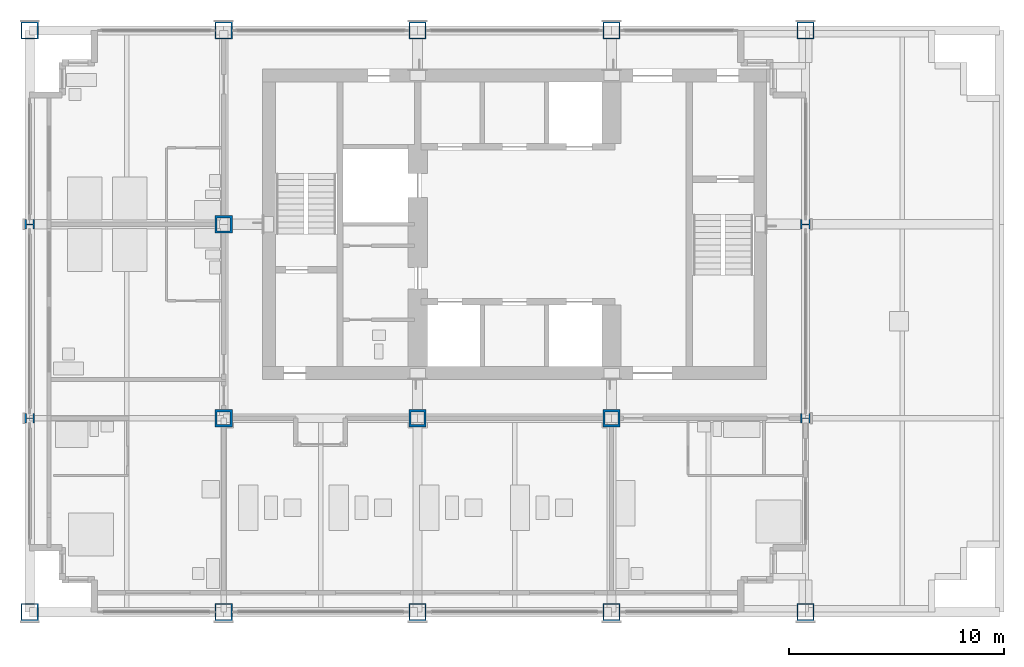
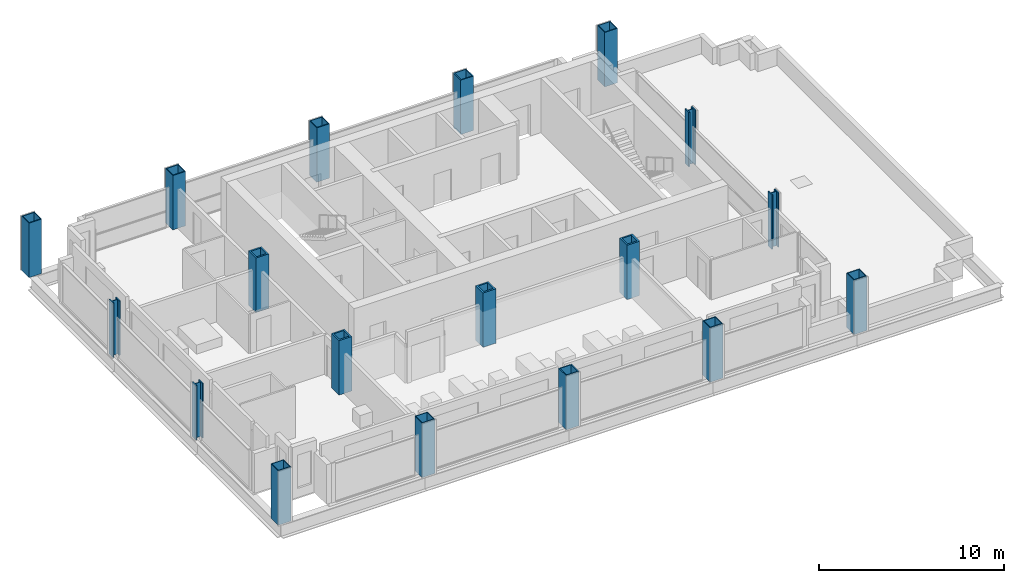
# One storey, part 1 of 12: 18 columns.
"""IFC4 building model written with IfcOpenShell, lengths in metres."""

import ifcopenshell
import ifcopenshell.guid

model = None  # the IFC model being written
_history = None  # IfcOwnerHistory: only IFC2X3 demands one
_inside = {}  # id of a spatial element -> (the spatial element, [elements in it])
_under = {}  # id of a project, library or spatial element -> (it, [spatial elements below it])
_declared = {}  # id of a project -> (the project, [libraries it declares])
_typed = {}  # id of a type object -> (the type object, [elements of that type])
_made_of = {}  # id of a material, layer set ... -> (it, [elements and type objects made of it])


def new_model(schema):
    """Start an empty IFC model of exactly this schema.

    Asked for "IFC4X3", IfcOpenShell would pick the latest addendum, in which some entities
    have other attributes; the version numbers below select the first issue.
    IFC2X3 requires an IfcOwnerHistory on every rooted entity: one is made here for all.
    """
    global model, _history
    if schema == "IFC4X3":
        model = ifcopenshell.file(schema_version=(4, 3, 0, 0))
    else:
        model = ifcopenshell.file(schema=schema)
    _inside.clear()
    _under.clear()
    _declared.clear()
    _typed.clear()
    _made_of.clear()
    _history = None
    if model.schema == "IFC2X3":
        org = make("IfcOrganization", Name="unknown")
        user = make(
            "IfcPersonAndOrganization",
            ThePerson=make("IfcPerson", FamilyName="unknown"),
            TheOrganization=org,
        )
        app = make(
            "IfcApplication",
            ApplicationDeveloper=org,
            Version="unknown",
            ApplicationFullName="unknown",
            ApplicationIdentifier="unknown",
        )
        _history = make(
            "IfcOwnerHistory",
            OwningUser=user,
            OwningApplication=app,
            ChangeAction="ADDED",
            CreationDate=0,
        )
    return model


def make(cls, **values):
    """One entity of the class cls with the attributes given. An attribute that is None is left unset."""
    return model.create_entity(
        cls, **{name: value for name, value in values.items() if value is not None}
    )


def rooted(cls, **values):
    """An entity with a GlobalId (a new one), such as an element, a storey or a relation."""
    return make(cls, GlobalId=ifcopenshell.guid.new(), OwnerHistory=_history, **values)


def si_unit(unit_type, name, prefix=None):
    """IfcSIUnit, for example si_unit("LENGTHUNIT", "METRE", prefix="MILLI")."""
    return make("IfcSIUnit", UnitType=unit_type, Prefix=prefix, Name=name)


def assignment(units):
    """IfcUnitAssignment: the units of a project."""
    return None if units is None else make("IfcUnitAssignment", Units=units)


def point(xyz):
    """IfcCartesianPoint."""
    return None if xyz is None else make("IfcCartesianPoint", Coordinates=xyz)


def direction(xyz):
    """IfcDirection."""
    return None if xyz is None else make("IfcDirection", DirectionRatios=xyz)


def frame(location, z_axis=None, x_axis=None):
    """IfcAxis2Placement3D, a coordinate frame: its origin and axes. An axis left out is left unset."""
    return make(
        "IfcAxis2Placement3D",
        Location=point(location),
        Axis=direction(z_axis),
        RefDirection=direction(x_axis),
    )


def frame_2d(location, x_axis=None):
    """IfcAxis2Placement2D, a coordinate frame in the plane: its origin and x axis."""
    return make(
        "IfcAxis2Placement2D", Location=point(location), RefDirection=direction(x_axis)
    )


def origin():
    """The frame at (0, 0, 0) with its axes left unset."""
    return frame((0.0, 0.0, 0.0))


def origin_2d():
    """The frame at (0, 0) in the plane with its x axis left unset."""
    return frame_2d((0.0, 0.0))


def place(relative_to, where):
    """IfcLocalPlacement: puts the frame where relative to a parent placement (None: the world)."""
    return make(
        "IfcLocalPlacement", PlacementRelTo=relative_to, RelativePlacement=where
    )


def context(
    kind, dimensions, precision=None, world=None, true_north=None, identifier=None
):
    """IfcGeometricRepresentationContext, for example the 3D "Model" context."""
    return make(
        "IfcGeometricRepresentationContext",
        ContextIdentifier=identifier,
        ContextType=kind,
        CoordinateSpaceDimension=dimensions,
        Precision=precision,
        WorldCoordinateSystem=world,
        TrueNorth=true_north,
    )


def subcontext(parent, identifier, kind, view, scale=None):
    """IfcGeometricRepresentationSubContext, for example "Body" below "Model"."""
    return make(
        "IfcGeometricRepresentationSubContext",
        ContextIdentifier=identifier,
        ContextType=kind,
        ParentContext=parent,
        TargetScale=scale,
        TargetView=view,
    )


def project(units=None, contexts=None):
    """IfcProject with its units and contexts."""
    return rooted(
        "IfcProject",
        Name="project",
        RepresentationContexts=contexts,
        UnitsInContext=assignment(units),
    )


def spatial(cls, under=None, at=None, **own):
    """A site, building, storey or space (cls), placed at a placement, below another one or the project."""
    s = rooted(cls, ObjectPlacement=at, **own)
    if under is not None:
        _under.setdefault(under.id(), (under, []))[1].append(s)
    return s


def profile(cls, at=None, kind="AREA", **sizes):
    """A parametric profile (cls). Its sizes go by their IFC names, for example OverallWidth=200.0."""
    return make(cls, ProfileType=kind, Position=at, **sizes)


def hollow_rectangle(**sizes):
    """IfcRectangleHollowProfileDef."""
    return profile("IfcRectangleHollowProfileDef", **sizes)


def i_section(**sizes):
    """IfcIShapeProfileDef."""
    return profile("IfcIShapeProfileDef", **sizes)


def extrude(swept, where, along, depth):
    """IfcExtrudedAreaSolid: the profile swept, set in the frame where, extruded along a direction by depth."""
    return make(
        "IfcExtrudedAreaSolid",
        SweptArea=swept,
        Position=where,
        ExtrudedDirection=direction(along),
        Depth=depth,
    )


def shape(context_of_items, identifier, shape_type, items):
    """IfcShapeRepresentation: the items that make up one representation, for example the "Body"."""
    return make(
        "IfcShapeRepresentation",
        ContextOfItems=context_of_items,
        RepresentationIdentifier=identifier,
        RepresentationType=shape_type,
        Items=items,
    )


def material(Name=None, Category=None):
    """IfcMaterial."""
    return make("IfcMaterial", Name=Name, Category=Category)


def material_profile(
    of_material, cross_section, Name=None, Category=None, Priority=None
):
    """IfcMaterialProfile: a cross section and its material."""
    return make(
        "IfcMaterialProfile",
        Name=Name,
        Material=of_material,
        Profile=cross_section,
        Priority=Priority,
        Category=Category,
    )


def profile_set(profiles, Name=None, composite=None):
    """IfcMaterialProfileSet."""
    return make(
        "IfcMaterialProfileSet",
        Name=Name,
        MaterialProfiles=profiles,
        CompositeProfile=composite,
    )


def made_of(thing, what):
    """Note that an element or type object is made of a material, layer set ...; save() writes the relation."""
    if what is not None:
        _made_of.setdefault(what.id(), (what, []))[1].append(thing)
    return thing


def type_object(cls, material=None, **own):
    """A type object (cls), such as IfcWallType, which elements share."""
    return made_of(rooted(cls, **own), material)


def element(
    cls,
    number,
    at=None,
    inside=None,
    cuts=None,
    type_object=None,
    material=None,
    context=None,
    identifier="Body",
    shape_type=None,
    held_by="IfcProductDefinitionShape",
    body=None,
    shapes=None,
    **own,
):
    """One element of the class cls, such as IfcWall. Its Tag is "e" and its number.

    at: its placement. inside: the storey or other place that contains it. cuts: it is an
    opening in that element (IfcRelVoidsElement). A single representation is given by context,
    identifier, shape_type and body (its items); several are given by shapes. held_by: the class
    of the entity that holds the representations. save() writes the other relations.
    """
    e = rooted(cls, Tag="e%d" % number, ObjectPlacement=at, **own)
    if body is not None:
        shapes = [shape(context, identifier, shape_type, body)]
    if shapes is not None:
        e.Representation = make(held_by, Representations=shapes)
    if inside is not None:
        _inside.setdefault(inside.id(), (inside, []))[1].append(e)
    if cuts is not None:
        rooted(
            "IfcRelVoidsElement", RelatingBuildingElement=cuts, RelatedOpeningElement=e
        )
    if type_object is not None:
        _typed.setdefault(type_object.id(), (type_object, []))[1].append(e)
    return made_of(e, material)


def aggregate(whole, parts):
    """IfcRelAggregates: a whole, such as a stair, and the parts it consists of."""
    return rooted("IfcRelAggregates", RelatingObject=whole, RelatedObjects=parts)


def save(model, path):
    """Write the relations noted so far, then the file.

    IfcRelAggregates (storeys below a building ...), IfcRelContainedInSpatialStructure (elements
    in a storey), IfcRelDefinesByType, IfcRelAssociatesMaterial and IfcRelDeclares: one each for
    every whole, place, type object, material and project.
    """
    for whole, parts in _under.values():
        aggregate(whole, parts)
    for where, things in _inside.values():
        rooted(
            "IfcRelContainedInSpatialStructure",
            RelatedElements=things,
            RelatingStructure=where,
        )
    for kind, things in _typed.values():
        rooted("IfcRelDefinesByType", RelatedObjects=things, RelatingType=kind)
    for what, things in _made_of.values():
        rooted("IfcRelAssociatesMaterial", RelatedObjects=things, RelatingMaterial=what)
    for by, libraries in _declared.values():
        rooted("IfcRelDeclares", RelatingContext=by, RelatedDefinitions=libraries)
    model.write(path)


model = new_model("IFC4")

# Units and contexts
model_context = context("Model", 3, precision=1e-05, world=origin(), true_north=direction((0.0, 1.0)))
body_context = subcontext(model_context, "Body", "Model", "MODEL_VIEW")
ifc_project = project(units=[si_unit("LENGTHUNIT", "METRE"), si_unit("AREAUNIT", "SQUARE_METRE"), si_unit("VOLUMEUNIT", "CUBIC_METRE"), si_unit("PLANEANGLEUNIT", "RADIAN"), si_unit("MASSUNIT", "GRAM", prefix="KILO")], contexts=[model_context])

# Site, building, storey
site_placement = place(None, origin())
site = spatial("IfcSite", under=ifc_project, at=site_placement, CompositionType="ELEMENT")
building_placement = place(site_placement, origin())
building = spatial("IfcBuilding", under=site, at=building_placement, Name="Loomwork Tower", CompositionType="ELEMENT")
storey_placement = place(building_placement, frame((0.0, 0.0, 226.60009765625)))
storey = spatial("IfcBuildingStorey", under=building, at=storey_placement, Name="L62", CompositionType="ELEMENT", Elevation=226.60009765625)

# Columns
ifc_material_1 = material(Name="Steel ASTM A572 Grade 50 plate", Category="steel")
ifc_material_profile_1 = material_profile(ifc_material_1, hollow_rectangle(XDim=0.800048828125, YDim=0.800048828125, WallThickness=0.050048828125, at=origin_2d()), Name="BOX800x50")
ifc_profile_set_1 = profile_set([ifc_material_profile_1], Name="Steel ASTM A572 Grade 50 plate")
column_type_1 = type_object("IfcColumnType", Name="EXOSKELETON PIER BOX800x50", PredefinedType="COLUMN", material=ifc_profile_set_1)
for number, where, z_axis, x_axis, name in (
    (1, (0.0, 0.0, 0.0), (0.0, 0.0, 1.0), (1.0, 0.0, 0.0), "Exoskeleton Pier D/2 L62"),
    (2, (0.0, 27.0, 0.0), (0.0, 0.0, 1.0), (0.0, 1.0, 0.0), "Exoskeleton Pier G/2 L62"),
    (3, (9.0, 0.0, 0.0), (0.0, 0.0, 1.0), (1.0, 0.0, 0.0), "Exoskeleton Pier D/3 L62"),
    (4, (9.0, 27.0, 0.0), (0.0, 0.0, 1.0), (1.0, 0.0, 0.0), "Exoskeleton Pier G/3 L62"),
    (5, (18.0, 0.0, 0.0), (0.0, 0.0, 1.0), (1.0, 0.0, 0.0), "Exoskeleton Pier D/4 L62"),
    (6, (18.0, 27.0, 0.0), (0.0, 0.0, 1.0), (1.0, 0.0, 0.0), "Exoskeleton Pier G/4 L62"),
    (7, (27.0, 0.0, 0.0), (0.0, 0.0, 1.0), (1.0, 0.0, 0.0), "Exoskeleton Pier D/5 L62"),
    (8, (27.0, 27.0, 0.0), (0.0, 0.0, 1.0), (1.0, 0.0, 0.0), "Exoskeleton Pier G/5 L62"),
    (9, (36.0, 0.0, 0.0), (0.0, 0.0, 1.0), (1.0, 0.0, 0.0), "Exoskeleton Pier D/6 L62"),
    (10, (36.0, 27.0, 0.0), (0.0, 0.0, 1.0), (1.0, 0.0, 0.0), "Exoskeleton Pier G/6 L62"),
):
    element("IfcColumn", number, at=place(storey_placement, frame(where, z_axis=z_axis, x_axis=x_axis)), inside=storey, type_object=column_type_1, Name=name, PredefinedType="COLUMN", context=body_context, shape_type="SweptSolid", body=[
        extrude(hollow_rectangle(XDim=0.800048828125, YDim=0.800048828125, WallThickness=0.050048828125, at=origin_2d()), origin(), (0.0, 0.0, 1.0), 3.599853515625),
    ])
ifc_material_2 = material(Name="Steel ASTM A992", Category="steel")
ifc_material_profile_2 = material_profile(ifc_material_2, i_section(OverallWidth=0.421630859375, OverallDepth=0.46484375, WebThickness=0.044921875, FlangeThickness=0.072509765625, at=origin_2d()), Name="W14x398")
ifc_profile_set_2 = profile_set([ifc_material_profile_2], Name="Steel ASTM A992")
column_type_2 = type_object("IfcColumnType", Name="EXOSKELETON PIER W14x398", PredefinedType="COLUMN", material=ifc_profile_set_2)
for number, where, z_axis, x_axis, name in (
    (11, (0.0, 9.0, 0.0), (0.0, 0.0, 1.0), (0.0, 1.0, 0.0), "Exoskeleton Pier E/2 L62"),
    (12, (0.0, 18.0, 0.0), (0.0, 0.0, 1.0), (0.0, 1.0, 0.0), "Exoskeleton Pier F/2 L62"),
    (13, (36.0, 9.0, 0.0), (0.0, 0.0, 1.0), (0.0, 1.0, 0.0), "Exoskeleton Pier E/6 L62"),
    (14, (36.0, 18.0, 0.0), (0.0, 0.0, 1.0), (0.0, 1.0, 0.0), "Exoskeleton Pier F/6 L62"),
):
    element("IfcColumn", number, at=place(storey_placement, frame(where, z_axis=z_axis, x_axis=x_axis)), inside=storey, type_object=column_type_2, Name=name, PredefinedType="COLUMN", context=body_context, shape_type="SweptSolid", body=[
        extrude(i_section(OverallWidth=0.421630859375, OverallDepth=0.46484375, WebThickness=0.044921875, FlangeThickness=0.072509765625, at=origin_2d()), origin(), (0.0, 0.0, 1.0), 3.599853515625),
    ])
ifc_material_3 = material(Name="Steel ASTM A572 Grade 50 plate", Category="steel")
ifc_material_profile_3 = material_profile(ifc_material_3, hollow_rectangle(XDim=0.800048828125, YDim=0.800048828125, WallThickness=0.10009765625, at=origin_2d()), Name="BOX800x100")
ifc_profile_set_3 = profile_set([ifc_material_profile_3], Name="Steel ASTM A572 Grade 50 plate")
column_type_3 = type_object("IfcColumnType", Name="TOWER COLUMN BOX800x100", PredefinedType="COLUMN", material=ifc_profile_set_3)
for number, where, z_axis, x_axis, name in (
    (15, (9.0, 9.0, 0.0), (0.0, 0.0, 1.0), (1.0, 0.0, 0.0), "Tower Column E/3 L62"),
    (16, (9.0, 18.0, 0.0), (0.0, 0.0, 1.0), (1.0, 0.0, 0.0), "Tower Column F/3 L62"),
    (17, (18.0, 9.0, 0.0), (0.0, 0.0, 1.0), (1.0, 0.0, 0.0), "Tower Column E/4 L62"),
    (18, (27.0, 9.0, 0.0), (0.0, 0.0, 1.0), (1.0, 0.0, 0.0), "Tower Column E/5 L62"),
):
    element("IfcColumn", number, at=place(storey_placement, frame(where, z_axis=z_axis, x_axis=x_axis)), inside=storey, type_object=column_type_3, Name=name, PredefinedType="COLUMN", context=body_context, shape_type="SweptSolid", body=[
        extrude(hollow_rectangle(XDim=0.800048828125, YDim=0.800048828125, WallThickness=0.10009765625, at=origin_2d()), origin(), (0.0, 0.0, 1.0), 3.599853515625),
    ])

save(model, "model.ifc")
